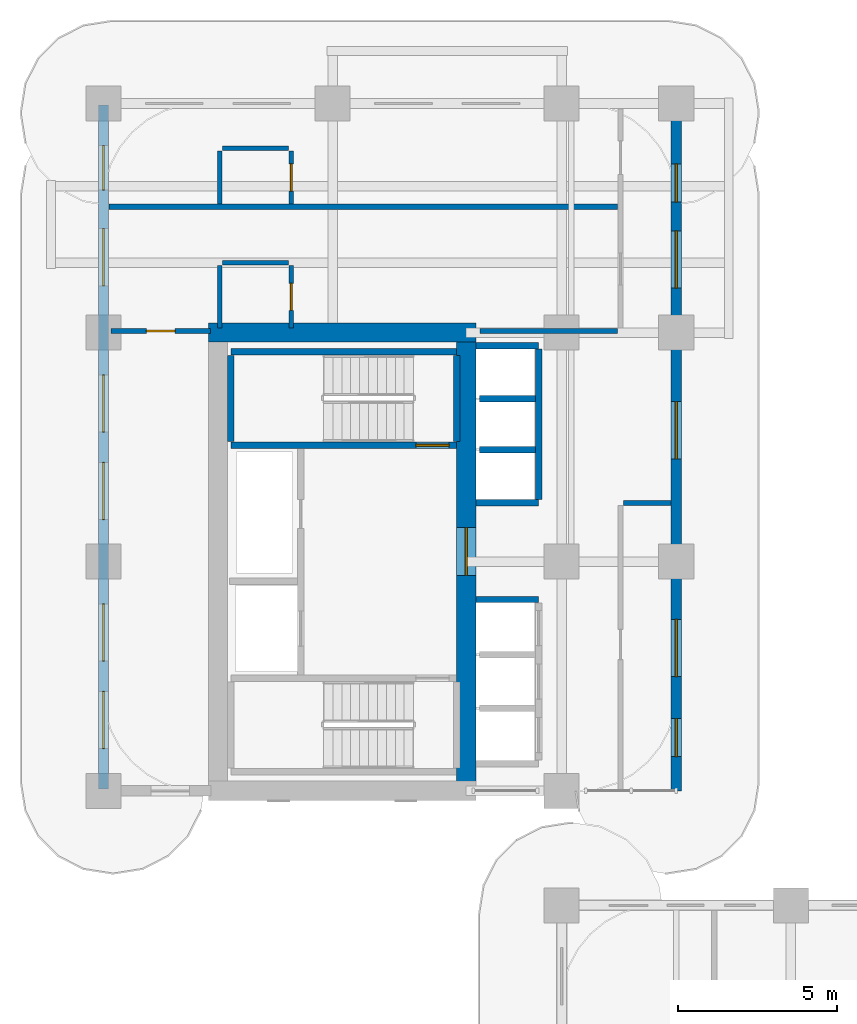
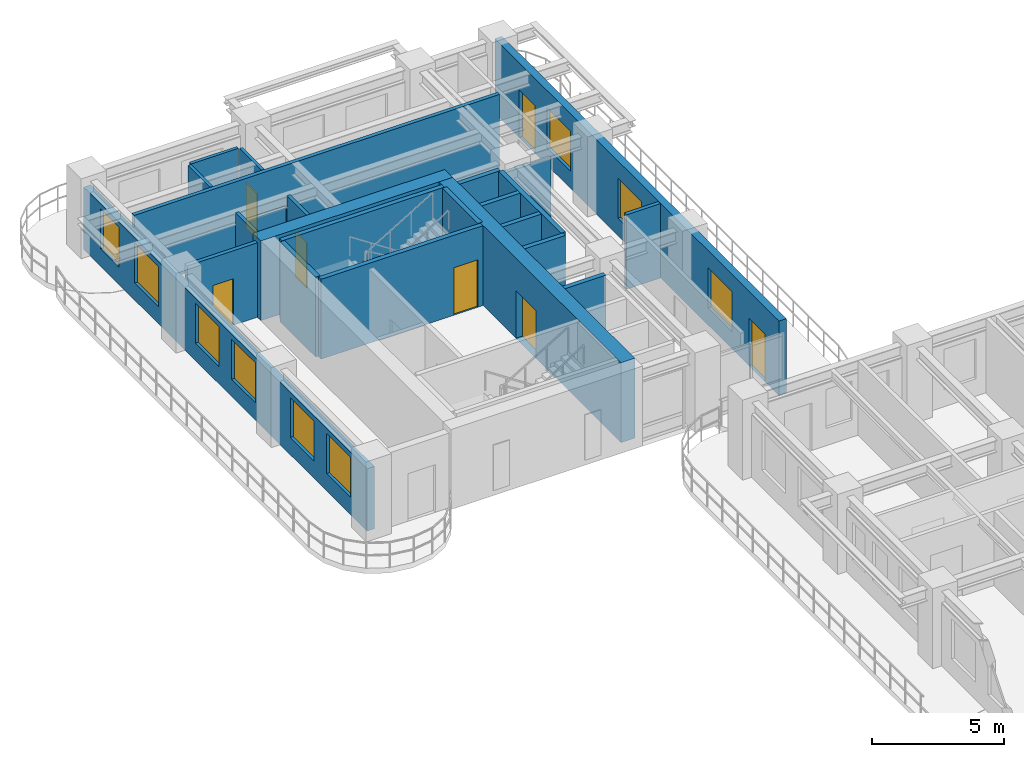
# One storey, part 11 of 19: 24 walls, 9 windows, 7 doors, 16 openings.
"""IFC4 building model written with IfcOpenShell, lengths in metres."""

from ifc_helpers import new_model, si_unit, derived_unit, direction, frame, frame_2d, origin, place, context, subcontext, project, spatial, rectangle, extrude, source, transform, mapped, material, layer, layer_set, type_object, type_shapes, element, fill, save


model = new_model("IFC4")

# Units and contexts
model_context = context("Model", 3, precision=1e-05, world=origin(), true_north=direction((0.0, 1.0)))
body_context = subcontext(model_context, "Body", "Model", "MODEL_VIEW")
ifc_project = project(units=[si_unit("LENGTHUNIT", "METRE"), si_unit("AREAUNIT", "SQUARE_METRE"), si_unit("VOLUMEUNIT", "CUBIC_METRE"), si_unit("PLANEANGLEUNIT", "RADIAN"), si_unit("MASSUNIT", "GRAM", prefix="KILO"), si_unit("THERMODYNAMICTEMPERATUREUNIT", "KELVIN"), si_unit("POWERUNIT", "WATT"), derived_unit("THERMALTRANSMITTANCEUNIT", [(si_unit("POWERUNIT", "WATT"), 1), (si_unit("AREAUNIT", "SQUARE_METRE"), -1), (si_unit("THERMODYNAMICTEMPERATUREUNIT", "KELVIN"), -1)])], contexts=[model_context])

# Site, building, storey
site_placement = place(None, origin())
site = spatial("IfcSite", under=ifc_project, at=site_placement, CompositionType="ELEMENT")
building_placement = place(site_placement, origin())
building = spatial("IfcBuilding", under=site, at=building_placement, Name="Zahravan Archway Hotel and Residences", CompositionType="ELEMENT")
storey_placement = place(building_placement, frame((0.0, 0.0, 54.60009765625)))
storey = spatial("IfcBuildingStorey", under=building, at=storey_placement, Name="L12", CompositionType="ELEMENT", Elevation=54.60009765625)

# Wall
ifc_material_1 = material(Name="Concrete C70/85", Category="concrete")
ifc_layer_1 = layer(ifc_material_1, 0.60009765625, Name="Concrete C70/85", Category="concrete")
ifc_layer_set_1 = layer_set([ifc_layer_1], Name="Concrete C70/85")
wall_type_1 = type_object("IfcWallType", Name="CW-CORE-600", PredefinedType="SHEAR", material=ifc_layer_set_1)
wall_1_placement = place(storey_placement, frame((3.300048828125, 39.60009765625, 0.0), z_axis=(0.0, 0.0, 1.0), x_axis=(1.0, 0.0, 0.0)))
element("IfcWall", 1, at=wall_1_placement, inside=storey, type_object=wall_type_1, Name="L12 Core B Shear N Wall 600 mm", PredefinedType="SHEAR", context=body_context, shape_type="SweptSolid", body=[
    extrude(rectangle(XDim=8.39990234375, YDim=0.60009765625, at=frame_2d((4.199951171875, 0.0))), origin(), (0.0, 0.0, 1.0), 3.699951171875),
])

# Wall, opening, door
wall_2_placement = place(storey_placement, frame((11.39990234375, 25.5, 0.0), z_axis=(0.0, 0.0, 1.0), x_axis=(0.0, 1.0, 0.0)))
wall_2 = element("IfcWall", 2, at=wall_2_placement, inside=storey, type_object=wall_type_1, Name="L12 Core B Shear E Wall 600 mm", PredefinedType="SHEAR", context=body_context, shape_type="SweptSolid", body=[
    extrude(rectangle(XDim=13.800048828125, YDim=0.60009765625, at=frame_2d((6.89990234375, 0.0))), origin(), (0.0, 0.0, 1.0), 3.699951171875),
])
opening_1_placement = place(wall_2_placement, frame((6.469970703125, 0.0, 0.0)))
opening_1 = element("IfcOpeningElement", 3, at=opening_1_placement, cuts=wall_2, Name="Opening FD-L1", PredefinedType="OPENING", context=body_context, shape_type="SweptSolid", body=[
    extrude(rectangle(XDim=1.5, YDim=2.199951171875, at=frame_2d((0.75, 1.10009765625))), frame((0.0, 0.31005859375, 0.0), z_axis=(0.0, -1.0, 0.0), x_axis=(1.0, 0.0, 0.0)), (0.0, 0.0, 1.0), 0.6201171875),
])
ifc_material_2 = material(Name="Fire-Rated Painted Steel", Category="steel")
door_type_1 = type_object("IfcDoorType", Name="FD-LOBBY-1500", OperationType="DOUBLE_DOOR_SINGLE_SWING", PredefinedType="DOOR", material=ifc_material_2)
shared_shape_1 = source(origin(), body_context, "Body", "SweptSolid", [
    extrude(rectangle(XDim=1.5, YDim=2.199951171875, at=frame_2d((0.75, 1.10009765625))), frame((0.0, 0.02490234375, 0.0), z_axis=(0.0, -1.0, 0.0), x_axis=(1.0, 0.0, 0.0)), (0.0, 0.0, 1.0), 0.050048828125),
])
type_shapes(door_type_1, [shared_shape_1])
door_1_placement = place(opening_1_placement, origin())
door_1 = element("IfcDoor", 4, at=door_1_placement, inside=storey, type_object=door_type_1, Name="L12 Core B FSAE Lobby Door", OperationType="DOUBLE_DOOR_SINGLE_SWING", OverallHeight=2.199951171875, OverallWidth=1.5, PredefinedType="DOOR", context=body_context, shape_type="MappedRepresentation", body=[
    mapped(shared_shape_1, transform((0.0, 0.0, 0.0), scale=1.0)),
])
fill(opening_1, door_1)

# Wall, openings, doors, windows
ifc_material_3 = material(Name="Agra Buff Sandstone & Insulated Backup", Category="masonry")
ifc_layer_2 = layer(ifc_material_3, 0.320068359375, Name="Agra Buff Sandstone & Insulated Backup", Category="masonry")
ifc_layer_set_2 = layer_set([ifc_layer_2], Name="Agra Buff Sandstone & Insulated Backup")
wall_type_2 = type_object("IfcWallType", Name="EW-SAND-320", PredefinedType="SOLIDWALL", material=ifc_layer_set_2)
wall_3_placement = place(storey_placement, frame((18.0, 25.199951171875, 0.0), z_axis=(0.0, 0.0, 1.0), x_axis=(0.0, 1.0, 0.0)))
wall_3 = element("IfcWall", 5, at=wall_3_placement, inside=storey, type_object=wall_type_2, Name="L12 Exterior Sandstone Wall WB-E", PredefinedType="SOLIDWALL", context=body_context, shape_type="SweptSolid", body=[
    extrude(rectangle(XDim=21.550048828125, YDim=0.320068359375, at=frame_2d((10.77490234375, 0.0))), origin(), (0.0, 0.0, 1.0), 3.449951171875),
])
opening_2_placement = place(wall_3_placement, frame((18.5, 0.0, 0.0)))
opening_2 = element("IfcOpeningElement", 6, at=opening_2_placement, cuts=wall_3, Name="Opening ED-BL1", PredefinedType="OPENING", context=body_context, shape_type="SweptSolid", body=[
    extrude(rectangle(XDim=1.199951171875, YDim=2.199951171875, at=frame_2d((0.60009765625, 1.10009765625))), frame((0.0, 0.169921875, 0.0), z_axis=(0.0, -1.0, 0.0), x_axis=(1.0, 0.0, 0.0)), (0.0, 0.0, 1.0), 0.340087890625),
])
opening_3_placement = place(wall_3_placement, frame((1.070068359375, 0.0, 0.0)))
opening_3 = element("IfcOpeningElement", 7, at=opening_3_placement, cuts=wall_3, Name="Opening ED-BL1", PredefinedType="OPENING", context=body_context, shape_type="SweptSolid", body=[
    extrude(rectangle(XDim=1.199951171875, YDim=2.199951171875, at=frame_2d((0.60009765625, 1.10009765625))), frame((0.0, 0.169921875, 0.0), z_axis=(0.0, -1.0, 0.0), x_axis=(1.0, 0.0, 0.0)), (0.0, 0.0, 1.0), 0.340087890625),
])
opening_4_placement = place(wall_3_placement, frame((3.5849609375, 0.0, 0.800048828125)))
opening_4 = element("IfcOpeningElement", 8, at=opening_4_placement, cuts=wall_3, Name="Opening W-02", PredefinedType="OPENING", context=body_context, shape_type="SweptSolid", body=[
    extrude(rectangle(XDim=1.800048828125, YDim=1.85009765625, at=frame_2d((0.89990234375, 0.925048828125))), frame((0.0, 0.169921875, 0.0), z_axis=(0.0, -1.0, 0.0), x_axis=(1.0, 0.0, 0.0)), (0.0, 0.0, 1.0), 0.340087890625),
])
opening_5_placement = place(wall_3_placement, frame((10.427978515625, 0.0, 0.800048828125)))
opening_5 = element("IfcOpeningElement", 9, at=opening_5_placement, cuts=wall_3, Name="Opening W-02", PredefinedType="OPENING", context=body_context, shape_type="SweptSolid", body=[
    extrude(rectangle(XDim=1.800048828125, YDim=1.85009765625, at=frame_2d((0.89990234375, 0.925048828125))), frame((0.0, 0.169921875, 0.0), z_axis=(0.0, -1.0, 0.0), x_axis=(1.0, 0.0, 0.0)), (0.0, 0.0, 1.0), 0.340087890625),
])
opening_6_placement = place(wall_3_placement, frame((15.800048828125, 0.0, 0.800048828125)))
opening_6 = element("IfcOpeningElement", 10, at=opening_6_placement, cuts=wall_3, Name="Opening W-02", PredefinedType="OPENING", context=body_context, shape_type="SweptSolid", body=[
    extrude(rectangle(XDim=1.800048828125, YDim=1.85009765625, at=frame_2d((0.89990234375, 0.925048828125))), frame((0.0, 0.169921875, 0.0), z_axis=(0.0, -1.0, 0.0), x_axis=(1.0, 0.0, 0.0)), (0.0, 0.0, 1.0), 0.340087890625),
])
ifc_material_4 = material(Name="Bronze-Anodized Glazed Aluminium", Category="aluminium")
door_type_2 = type_object("IfcDoorType", Name="ED-BALC-1200", OperationType="SLIDING_TO_LEFT", PredefinedType="DOOR", material=ifc_material_4)
shared_shape_2 = source(origin(), body_context, "Body", "SweptSolid", [
    extrude(rectangle(XDim=1.199951171875, YDim=2.199951171875, at=frame_2d((0.60009765625, 1.10009765625))), frame((0.0, 0.02490234375, 0.0), z_axis=(0.0, -1.0, 0.0), x_axis=(1.0, 0.0, 0.0)), (0.0, 0.0, 1.0), 0.050048828125),
])
type_shapes(door_type_2, [shared_shape_2])
door_2_placement = place(opening_2_placement, origin())
door_2 = element("IfcDoor", 11, at=door_2_placement, inside=storey, type_object=door_type_2, Name="L12 Outdoor Access Sliding Door (SLB-BAL-L12-NB)", OperationType="SLIDING_TO_LEFT", OverallHeight=2.199951171875, OverallWidth=1.199951171875, PredefinedType="DOOR", context=body_context, shape_type="MappedRepresentation", body=[
    mapped(shared_shape_2, transform((0.0, 0.0, 0.0), scale=1.0)),
])
fill(opening_2, door_2)
door_3_placement = place(opening_3_placement, origin())
door_3 = element("IfcDoor", 12, at=door_3_placement, inside=storey, type_object=door_type_2, Name="L12 Outdoor Access Sliding Door (SLB-BAL-L12-EB)", OperationType="SLIDING_TO_LEFT", OverallHeight=2.199951171875, OverallWidth=1.199951171875, PredefinedType="DOOR", context=body_context, shape_type="MappedRepresentation", body=[
    mapped(shared_shape_2, transform((0.0, 0.0, 0.0), scale=1.0)),
])
fill(opening_3, door_3)
ifc_material_5 = material(Name="Bronze-Anodized Thermal-Break Aluminium & Low-E Glass", Category="aluminium")
window_type_1 = type_object("IfcWindowType", Name="WIN-TWR-1800", PartitioningType="DOUBLE_PANEL_VERTICAL", PredefinedType="WINDOW", material=ifc_material_5)
shared_shape_3 = source(origin(), body_context, "Body", "SweptSolid", [
    extrude(rectangle(XDim=1.800048828125, YDim=1.85009765625, at=frame_2d((0.89990234375, 0.925048828125))), frame((0.0, 0.030029296875, 0.0), z_axis=(0.0, -1.0, 0.0), x_axis=(1.0, 0.0, 0.0)), (0.0, 0.0, 1.0), 0.06005859375),
])
type_shapes(window_type_1, [shared_shape_3])
window_1_placement = place(opening_4_placement, origin())
window_1 = element("IfcWindow", 13, at=window_1_placement, inside=storey, type_object=window_type_1, Name="L12 Loggia Window 34", OverallHeight=1.85009765625, OverallWidth=1.800048828125, PartitioningType="DOUBLE_PANEL_VERTICAL", PredefinedType="WINDOW", context=body_context, shape_type="MappedRepresentation", body=[
    mapped(shared_shape_3, transform((0.0, 0.0, 0.0), scale=1.0)),
])
fill(opening_4, window_1)
window_2_placement = place(opening_5_placement, origin())
window_2 = element("IfcWindow", 14, at=window_2_placement, inside=storey, type_object=window_type_1, Name="L12 Loggia Window 35", OverallHeight=1.85009765625, OverallWidth=1.800048828125, PartitioningType="DOUBLE_PANEL_VERTICAL", PredefinedType="WINDOW", context=body_context, shape_type="MappedRepresentation", body=[
    mapped(shared_shape_3, transform((0.0, 0.0, 0.0), scale=1.0)),
])
fill(opening_5, window_2)
window_3_placement = place(opening_6_placement, origin())
window_3 = element("IfcWindow", 15, at=window_3_placement, inside=storey, type_object=window_type_1, Name="L12 Loggia Window 36", OverallHeight=1.85009765625, OverallWidth=1.800048828125, PartitioningType="DOUBLE_PANEL_VERTICAL", PredefinedType="WINDOW", context=body_context, shape_type="MappedRepresentation", body=[
    mapped(shared_shape_3, transform((0.0, 0.0, 0.0), scale=1.0)),
])
fill(opening_6, window_3)

# Wall, openings, windows
wall_4_placement = place(storey_placement, frame((0.0, 25.25, 0.0), z_axis=(0.0, 0.0, 1.0), x_axis=(0.0, 1.0, 0.0)))
wall_4 = element("IfcWall", 16, at=wall_4_placement, inside=storey, type_object=wall_type_2, Name="L12 Exterior Sandstone Wall WB-W", PredefinedType="SOLIDWALL", context=body_context, shape_type="SweptSolid", body=[
    extrude(rectangle(XDim=21.5, YDim=0.320068359375, at=frame_2d((10.75, 0.0))), origin(), (0.0, 0.0, 1.0), 2.885009765625),
])
opening_7_placement = place(wall_4_placement, frame((1.27490234375, 0.0, 0.800048828125)))
opening_7 = element("IfcOpeningElement", 17, at=opening_7_placement, cuts=wall_4, Name="Opening W-02", PredefinedType="OPENING", context=body_context, shape_type="SweptSolid", body=[
    extrude(rectangle(XDim=1.800048828125, YDim=1.85009765625, at=frame_2d((0.89990234375, 0.925048828125))), frame((0.0, 0.169921875, 0.0), z_axis=(0.0, -1.0, 0.0), x_axis=(1.0, 0.0, 0.0)), (0.0, 0.0, 1.0), 0.340087890625),
])
opening_8_placement = place(wall_4_placement, frame((4.02490234375, 0.0, 0.800048828125)))
opening_8 = element("IfcOpeningElement", 18, at=opening_8_placement, cuts=wall_4, Name="Opening W-02", PredefinedType="OPENING", context=body_context, shape_type="SweptSolid", body=[
    extrude(rectangle(XDim=1.800048828125, YDim=1.85009765625, at=frame_2d((0.89990234375, 0.925048828125))), frame((0.0, 0.169921875, 0.0), z_axis=(0.0, -1.0, 0.0), x_axis=(1.0, 0.0, 0.0)), (0.0, 0.0, 1.0), 0.340087890625),
])
opening_9_placement = place(wall_4_placement, frame((8.47509765625, 0.0, 0.800048828125)))
opening_9 = element("IfcOpeningElement", 19, at=opening_9_placement, cuts=wall_4, Name="Opening W-02", PredefinedType="OPENING", context=body_context, shape_type="SweptSolid", body=[
    extrude(rectangle(XDim=1.800048828125, YDim=1.85009765625, at=frame_2d((0.89990234375, 0.925048828125))), frame((0.0, 0.169921875, 0.0), z_axis=(0.0, -1.0, 0.0), x_axis=(1.0, 0.0, 0.0)), (0.0, 0.0, 1.0), 0.340087890625),
])
opening_10_placement = place(wall_4_placement, frame((11.22509765625, 0.0, 0.800048828125)))
opening_10 = element("IfcOpeningElement", 20, at=opening_10_placement, cuts=wall_4, Name="Opening W-02", PredefinedType="OPENING", context=body_context, shape_type="SweptSolid", body=[
    extrude(rectangle(XDim=1.800048828125, YDim=1.85009765625, at=frame_2d((0.89990234375, 0.925048828125))), frame((0.0, 0.169921875, 0.0), z_axis=(0.0, -1.0, 0.0), x_axis=(1.0, 0.0, 0.0)), (0.0, 0.0, 1.0), 0.340087890625),
])
opening_11_placement = place(wall_4_placement, frame((15.821044921875, 0.0, 0.800048828125)))
opening_11 = element("IfcOpeningElement", 21, at=opening_11_placement, cuts=wall_4, Name="Opening W-02", PredefinedType="OPENING", context=body_context, shape_type="SweptSolid", body=[
    extrude(rectangle(XDim=1.800048828125, YDim=1.85009765625, at=frame_2d((0.89990234375, 0.925048828125))), frame((0.0, 0.169921875, 0.0), z_axis=(0.0, -1.0, 0.0), x_axis=(1.0, 0.0, 0.0)), (0.0, 0.0, 1.0), 0.340087890625),
])
opening_12_placement = place(wall_4_placement, frame((18.8291015625, 0.0, 0.800048828125)))
opening_12 = element("IfcOpeningElement", 22, at=opening_12_placement, cuts=wall_4, Name="Opening W-03", PredefinedType="OPENING", context=body_context, shape_type="SweptSolid", body=[
    extrude(rectangle(XDim=1.39990234375, YDim=1.85009765625, at=frame_2d((0.699951171875, 0.925048828125))), frame((0.0, 0.169921875, 0.0), z_axis=(0.0, -1.0, 0.0), x_axis=(1.0, 0.0, 0.0)), (0.0, 0.0, 1.0), 0.340087890625),
])
window_type_2 = type_object("IfcWindowType", Name="WIN-TWR-1400", PartitioningType="SINGLE_PANEL", PredefinedType="WINDOW", material=ifc_material_5)
shared_shape_4 = source(origin(), body_context, "Body", "SweptSolid", [
    extrude(rectangle(XDim=1.39990234375, YDim=1.85009765625, at=frame_2d((0.699951171875, 0.925048828125))), frame((0.0, 0.030029296875, 0.0), z_axis=(0.0, -1.0, 0.0), x_axis=(1.0, 0.0, 0.0)), (0.0, 0.0, 1.0), 0.06005859375),
])
type_shapes(window_type_2, [shared_shape_4])
window_4_placement = place(opening_12_placement, origin())
window_4 = element("IfcWindow", 23, at=window_4_placement, inside=storey, type_object=window_type_2, Name="L12 Loggia Window 46", OverallHeight=1.85009765625, OverallWidth=1.39990234375, PartitioningType="SINGLE_PANEL", PredefinedType="WINDOW", context=body_context, shape_type="MappedRepresentation", body=[
    mapped(shared_shape_4, transform((0.0, 0.0, 0.0), scale=1.0)),
])
fill(opening_12, window_4)
window_5_placement = place(opening_7_placement, origin())
window_5 = element("IfcWindow", 24, at=window_5_placement, inside=storey, type_object=window_type_1, Name="L12 Loggia Window 41", OverallHeight=1.85009765625, OverallWidth=1.800048828125, PartitioningType="DOUBLE_PANEL_VERTICAL", PredefinedType="WINDOW", context=body_context, shape_type="MappedRepresentation", body=[
    mapped(shared_shape_3, transform((0.0, 0.0, 0.0), scale=1.0)),
])
fill(opening_7, window_5)
window_6_placement = place(opening_8_placement, origin())
window_6 = element("IfcWindow", 25, at=window_6_placement, inside=storey, type_object=window_type_1, Name="L12 Loggia Window 42", OverallHeight=1.85009765625, OverallWidth=1.800048828125, PartitioningType="DOUBLE_PANEL_VERTICAL", PredefinedType="WINDOW", context=body_context, shape_type="MappedRepresentation", body=[
    mapped(shared_shape_3, transform((0.0, 0.0, 0.0), scale=1.0)),
])
fill(opening_8, window_6)
window_7_placement = place(opening_9_placement, origin())
window_7 = element("IfcWindow", 26, at=window_7_placement, inside=storey, type_object=window_type_1, Name="L12 Loggia Window 43", OverallHeight=1.85009765625, OverallWidth=1.800048828125, PartitioningType="DOUBLE_PANEL_VERTICAL", PredefinedType="WINDOW", context=body_context, shape_type="MappedRepresentation", body=[
    mapped(shared_shape_3, transform((0.0, 0.0, 0.0), scale=1.0)),
])
fill(opening_9, window_7)
window_8_placement = place(opening_10_placement, origin())
window_8 = element("IfcWindow", 27, at=window_8_placement, inside=storey, type_object=window_type_1, Name="L12 Loggia Window 44", OverallHeight=1.85009765625, OverallWidth=1.800048828125, PartitioningType="DOUBLE_PANEL_VERTICAL", PredefinedType="WINDOW", context=body_context, shape_type="MappedRepresentation", body=[
    mapped(shared_shape_3, transform((0.0, 0.0, 0.0), scale=1.0)),
])
fill(opening_10, window_8)
window_9_placement = place(opening_11_placement, origin())
window_9 = element("IfcWindow", 28, at=window_9_placement, inside=storey, type_object=window_type_1, Name="L12 Loggia Window 45", OverallHeight=1.85009765625, OverallWidth=1.800048828125, PartitioningType="DOUBLE_PANEL_VERTICAL", PredefinedType="WINDOW", context=body_context, shape_type="MappedRepresentation", body=[
    mapped(shared_shape_3, transform((0.0, 0.0, 0.0), scale=1.0)),
])
fill(opening_11, window_9)

# Walls
ifc_material_6 = material(Name="Fire-Rated Gypsum & Concrete Block", Category="concrete")
ifc_layer_3 = layer(ifc_material_6, 0.159912109375, Name="Fire-Rated Gypsum & Concrete Block", Category="concrete")
ifc_layer_set_3 = layer_set([ifc_layer_3], Name="Fire-Rated Gypsum & Concrete Block")
wall_type_3 = type_object("IfcWallType", Name="PW-CORR-160", PredefinedType="PARTITIONING", material=ifc_layer_set_3)
wall_5_placement = place(storey_placement, frame((16.340087890625, 34.25, 0.0), z_axis=(0.0, 0.0, 1.0), x_axis=(1.0, 0.0, 0.0)))
element("IfcWall", 29, at=wall_5_placement, inside=storey, type_object=wall_type_3, Name="L12 Partition WB-CS", PredefinedType="PARTITIONING", context=body_context, shape_type="SweptSolid", body=[
    extrude(rectangle(XDim=1.491943359375, YDim=0.159912109375, at=frame_2d((0.74609375, 0.0))), origin(), (0.0, 0.0, 1.0), 3.449951171875),
])
wall_6_placement = place(storey_placement, frame((11.840087890625, 39.64990234375, 0.0), z_axis=(0.0, 0.0, 1.0), x_axis=(1.0, 0.0, 0.0)))
element("IfcWall", 30, at=wall_6_placement, inside=storey, type_object=wall_type_3, Name="L12 Partition WB-NS2", PredefinedType="PARTITIONING", context=body_context, shape_type="SweptSolid", body=[
    extrude(rectangle(XDim=4.31982421875, YDim=0.159912109375, at=frame_2d((2.159912109375, 0.0))), origin(), (0.0, 0.0, 1.0), 2.885009765625),
])
ifc_layer_4 = layer(ifc_material_6, 0.199951171875, Name="Fire-Rated Gypsum & Concrete Block", Category="concrete")
ifc_layer_set_4 = layer_set([ifc_layer_4], Name="Fire-Rated Gypsum & Concrete Block")
wall_type_4 = type_object("IfcWallType", Name="PW-SHAFT-200", PredefinedType="PARTITIONING", material=ifc_layer_set_4)
for number, where, z_axis, x_axis, name in (
    (31, (11.7099609375, 31.2099609375, 0.0), (0.0, 0.0, 1.0), (1.0, 0.0, 0.0), "L12 Partition B1-N"),
    (32, (11.7099609375, 34.25, 0.0), (0.0, 0.0, 1.0), (1.0, 0.0, 0.0), "L12 Partition B2-S"),
    (33, (11.7099609375, 39.18994140625, 0.0), (0.0, 0.0, 1.0), (1.0, 0.0, 0.0), "L12 Partition B2-N"),
):
    element("IfcWall", number, at=place(storey_placement, frame(where, z_axis=z_axis, x_axis=x_axis)), inside=storey, type_object=wall_type_4, Name=name, PredefinedType="PARTITIONING", context=body_context, shape_type="SweptSolid", body=[
        extrude(rectangle(XDim=1.9599609375, YDim=0.199951171875, at=frame_2d((0.97998046875, 0.0))), origin(), (0.0, 0.0, 1.0), 3.449951171875),
    ])
wall_7_placement = place(storey_placement, frame((13.679931640625, 34.360107421875, 0.0), z_axis=(0.0, 0.0, 1.0), x_axis=(0.0, 1.0, 0.0)))
element("IfcWall", 34, at=wall_7_placement, inside=storey, type_object=wall_type_4, Name="L12 Partition B2-E", PredefinedType="PARTITIONING", context=body_context, shape_type="SweptSolid", body=[
    extrude(rectangle(XDim=4.719970703125, YDim=0.199951171875, at=frame_2d((2.35986328125, 0.0))), origin(), (0.0, 0.0, 1.0), 3.449951171875),
])
for number, where, z_axis, x_axis, name in (
    (35, (11.81005859375, 35.919921875, 0.0), (0.0, 0.0, 1.0), (1.0, 0.0, 0.0), "L12 Partition B2-D"),
    (36, (11.81005859375, 37.52001953125, 0.0), (0.0, 0.0, 1.0), (1.0, 0.0, 0.0), "L12 Partition B2-D"),
):
    element("IfcWall", number, at=place(storey_placement, frame(where, z_axis=z_axis, x_axis=x_axis)), inside=storey, type_object=wall_type_4, Name=name, PredefinedType="PARTITIONING", context=body_context, shape_type="SweptSolid", body=[
        extrude(rectangle(XDim=1.760009765625, YDim=0.199951171875, at=frame_2d((0.8798828125, 0.0))), origin(), (0.0, 0.0, 1.0), 3.449951171875),
    ])

# Wall, opening, door
ifc_material_7 = material(Name="Acoustic Stud Partition")
ifc_layer_5 = layer(ifc_material_7, 0.169921875, Name="Acoustic Stud Partition")
ifc_layer_set_5 = layer_set([ifc_layer_5], Name="Acoustic Stud Partition")
wall_type_5 = type_object("IfcWallType", Name="PW-UNIT-170", PredefinedType="PARTITIONING", material=ifc_layer_set_5)
wall_8_placement = place(storey_placement, frame((0.239990234375, 39.64990234375, 0.0), z_axis=(0.0, 0.0, 1.0), x_axis=(1.0, 0.0, 0.0)))
wall_8 = element("IfcWall", 37, at=wall_8_placement, inside=storey, type_object=wall_type_5, Name="L12 Partition WB-NS", PredefinedType="PARTITIONING", context=body_context, shape_type="SweptSolid", body=[
    extrude(rectangle(XDim=3.1201171875, YDim=0.169921875, at=frame_2d((1.56005859375, 0.0))), origin(), (0.0, 0.0, 1.0), 3.449951171875),
])
opening_13_placement = place(wall_8_placement, frame((1.110107421875, 0.0, 0.0)))
opening_13 = element("IfcOpeningElement", 38, at=opening_13_placement, cuts=wall_8, Name="Opening D-I2", PredefinedType="OPENING", context=body_context, shape_type="SweptSolid", body=[
    extrude(rectangle(XDim=0.89990234375, YDim=2.14990234375, at=frame_2d((0.449951171875, 1.074951171875))), frame((0.0, 0.094970703125, 0.0), z_axis=(0.0, -1.0, 0.0), x_axis=(1.0, 0.0, 0.0)), (0.0, 0.0, 1.0), 0.18994140625),
])
ifc_material_8 = material(Name="Hardwood Veneer Timber", Category="wood")
door_type_3 = type_object("IfcDoorType", Name="ID-INT-900", OperationType="NOTDEFINED", PredefinedType="DOOR", material=ifc_material_8)
shared_shape_5 = source(origin(), body_context, "Body", "SweptSolid", [
    extrude(rectangle(XDim=0.89990234375, YDim=2.14990234375, at=frame_2d((0.449951171875, 1.074951171875))), frame((0.0, 0.02490234375, 0.0), z_axis=(0.0, -1.0, 0.0), x_axis=(1.0, 0.0, 0.0)), (0.0, 0.0, 1.0), 0.050048828125),
])
type_shapes(door_type_3, [shared_shape_5])
door_4_placement = place(opening_13_placement, origin())
door_4 = element("IfcDoor", 39, at=door_4_placement, inside=storey, type_object=door_type_3, Name="L12 Wing B West Loggia Salon Door", OperationType="SINGLE_SWING_RIGHT", OverallHeight=2.14990234375, OverallWidth=0.89990234375, PredefinedType="DOOR", context=body_context, shape_type="MappedRepresentation", body=[
    mapped(shared_shape_5, transform((0.0, 0.0, 0.0), scale=1.0)),
])
fill(opening_13, door_4)

# Walls
wall_9_placement = place(storey_placement, frame((0.16796875, 43.550048828125, 0.0), z_axis=(0.0, 0.0, 1.0), x_axis=(1.0, 0.0, 0.0)))
element("IfcWall", 40, at=wall_9_placement, inside=storey, type_object=wall_type_5, Name="L12 Partition WB-NH", PredefinedType="PARTITIONING", context=body_context, shape_type="SweptSolid", body=[
    extrude(rectangle(XDim=15.991943359375, YDim=0.169921875, at=frame_2d((7.99609375, 0.0))), origin(), (0.0, 0.0, 1.0), 3.449951171875),
])
ifc_material_9 = material(Name="Moisture-Resistant Blockwork", Category="masonry")
ifc_layer_6 = layer(ifc_material_9, 0.139892578125, Name="Moisture-Resistant Blockwork", Category="masonry")
ifc_layer_set_6 = layer_set([ifc_layer_6], Name="Moisture-Resistant Blockwork")
wall_type_6 = type_object("IfcWallType", Name="PW-WET-140", PredefinedType="PARTITIONING", material=ifc_layer_set_6)
wall_10_placement = place(storey_placement, frame((3.64990234375, 39.739990234375, 0.0), z_axis=(0.0, 0.0, 1.0), x_axis=(0.0, 1.0, 0.0)))
element("IfcWall", 41, at=wall_10_placement, inside=storey, type_object=wall_type_6, Name="L12 Partition HKB-VL61", PredefinedType="PARTITIONING", context=body_context, shape_type="SweptSolid", body=[
    extrude(rectangle(XDim=1.965087890625, YDim=0.139892578125, at=frame_2d((0.982421875, 0.0))), origin(), (0.0, 0.0, 1.0), 3.449951171875),
])
wall_11_placement = place(storey_placement, frame((3.739990234375, 41.794921875, 0.0), z_axis=(0.0, 0.0, 1.0), x_axis=(1.0, 0.0, 0.0)))
element("IfcWall", 42, at=wall_11_placement, inside=storey, type_object=wall_type_6, Name="L12 Partition HKB-H61", PredefinedType="PARTITIONING", context=body_context, shape_type="SweptSolid", body=[
    extrude(rectangle(XDim=2.070068359375, YDim=0.139892578125, at=frame_2d((1.03515625, 0.0))), origin(), (0.0, 0.0, 1.0), 2.885009765625),
])

# Wall, opening, door
wall_12_placement = place(storey_placement, frame((5.89990234375, 39.739990234375, 0.0), z_axis=(0.0, 0.0, 1.0), x_axis=(0.0, 1.0, 0.0)))
wall_12 = element("IfcWall", 43, at=wall_12_placement, inside=storey, type_object=wall_type_6, Name="L12 Partition HKB-V61", PredefinedType="PARTITIONING", context=body_context, shape_type="SweptSolid", body=[
    extrude(rectangle(XDim=1.965087890625, YDim=0.139892578125, at=frame_2d((0.982421875, 0.0))), origin(), (0.0, 0.0, 1.0), 3.449951171875),
])
opening_14_placement = place(wall_12_placement, frame((0.5576171875, 0.0, 0.0)))
opening_14 = element("IfcOpeningElement", 44, at=opening_14_placement, cuts=wall_12, Name="Opening D-B1", PredefinedType="OPENING", context=body_context, shape_type="SweptSolid", body=[
    extrude(rectangle(XDim=0.85009765625, YDim=2.10009765625, at=frame_2d((0.425048828125, 1.050048828125))), frame((0.0, 0.080078125, 0.0), z_axis=(0.0, -1.0, 0.0), x_axis=(1.0, 0.0, 0.0)), (0.0, 0.0, 1.0), 0.159912109375),
])
door_type_4 = type_object("IfcDoorType", Name="ID-BATH-850", OperationType="NOTDEFINED", PredefinedType="DOOR", material=ifc_material_8)
shared_shape_6 = source(origin(), body_context, "Body", "SweptSolid", [
    extrude(rectangle(XDim=0.85009765625, YDim=2.10009765625, at=frame_2d((0.425048828125, 1.050048828125))), frame((0.0, 0.02490234375, 0.0), z_axis=(0.0, -1.0, 0.0), x_axis=(1.0, 0.0, 0.0)), (0.0, 0.0, 1.0), 0.050048828125),
])
type_shapes(door_type_4, [shared_shape_6])
door_5_placement = place(opening_14_placement, origin())
door_5 = element("IfcDoor", 45, at=door_5_placement, inside=storey, type_object=door_type_4, Name="L12 Guestroom 61 En-Suite Door", OperationType="SINGLE_SWING_RIGHT", OverallHeight=2.10009765625, OverallWidth=0.85009765625, PredefinedType="DOOR", context=body_context, shape_type="MappedRepresentation", body=[
    mapped(shared_shape_6, transform((0.0, 0.0, 0.0), scale=1.0)),
])
fill(opening_14, door_5)

# Walls
wall_13_placement = place(storey_placement, frame((3.64990234375, 43.639892578125, 0.0), z_axis=(0.0, 0.0, 1.0), x_axis=(0.0, 1.0, 0.0)))
element("IfcWall", 46, at=wall_13_placement, inside=storey, type_object=wall_type_6, Name="L12 Partition HKB-VL62", PredefinedType="PARTITIONING", context=body_context, shape_type="SweptSolid", body=[
    extrude(rectangle(XDim=1.670166015625, YDim=0.139892578125, at=frame_2d((0.8349609375, 0.0))), origin(), (0.0, 0.0, 1.0), 3.449951171875),
])
wall_14_placement = place(storey_placement, frame((3.739990234375, 45.39990234375, 0.0), z_axis=(0.0, 0.0, 1.0), x_axis=(1.0, 0.0, 0.0)))
element("IfcWall", 47, at=wall_14_placement, inside=storey, type_object=wall_type_6, Name="L12 Partition HKB-H62", PredefinedType="PARTITIONING", context=body_context, shape_type="SweptSolid", body=[
    extrude(rectangle(XDim=2.070068359375, YDim=0.139892578125, at=frame_2d((1.03515625, 0.0))), origin(), (0.0, 0.0, 1.0), 3.449951171875),
])

# Wall, opening, door
wall_15_placement = place(storey_placement, frame((5.89990234375, 43.639892578125, 0.0), z_axis=(0.0, 0.0, 1.0), x_axis=(0.0, 1.0, 0.0)))
wall_15 = element("IfcWall", 48, at=wall_15_placement, inside=storey, type_object=wall_type_6, Name="L12 Partition HKB-V62", PredefinedType="PARTITIONING", context=body_context, shape_type="SweptSolid", body=[
    extrude(rectangle(XDim=1.670166015625, YDim=0.139892578125, at=frame_2d((0.8349609375, 0.0))), origin(), (0.0, 0.0, 1.0), 3.449951171875),
])
opening_15_placement = place(wall_15_placement, frame((0.409912109375, 0.0, 0.0)))
opening_15 = element("IfcOpeningElement", 49, at=opening_15_placement, cuts=wall_15, Name="Opening D-B1", PredefinedType="OPENING", context=body_context, shape_type="SweptSolid", body=[
    extrude(rectangle(XDim=0.85009765625, YDim=2.10009765625, at=frame_2d((0.425048828125, 1.050048828125))), frame((0.0, 0.080078125, 0.0), z_axis=(0.0, -1.0, 0.0), x_axis=(1.0, 0.0, 0.0)), (0.0, 0.0, 1.0), 0.159912109375),
])
door_6_placement = place(opening_15_placement, origin())
door_6 = element("IfcDoor", 50, at=door_6_placement, inside=storey, type_object=door_type_4, Name="L12 Guestroom 62 En-Suite Door", OperationType="SINGLE_SWING_RIGHT", OverallHeight=2.10009765625, OverallWidth=0.85009765625, PredefinedType="DOOR", context=body_context, shape_type="MappedRepresentation", body=[
    mapped(shared_shape_6, transform((0.0, 0.0, 0.0), scale=1.0)),
])
fill(opening_15, door_6)

# Walls
ifc_material_10 = material(Name="Concrete C50/60", Category="concrete")
ifc_layer_7 = layer(ifc_material_10, 0.199951171875, Name="Concrete C50/60", Category="concrete")
ifc_layer_set_7 = layer_set([ifc_layer_7], Name="Concrete C50/60")
wall_type_7 = type_object("IfcWallType", Name="SW-STAIR-200", PredefinedType="SHEAR", material=ifc_layer_set_7)
wall_16_placement = place(storey_placement, frame((4.0, 39.0, 0.0), z_axis=(0.0, 0.0, 1.0), x_axis=(1.0, 0.0, 0.0)))
element("IfcWall", 51, at=wall_16_placement, inside=storey, type_object=wall_type_7, Name="L12 Stairwell RC Wall CB-SB2N", PredefinedType="SHEAR", context=body_context, shape_type="SweptSolid", body=[
    extrude(rectangle(XDim=7.10009765625, YDim=0.199951171875, at=frame_2d((3.550048828125, 0.0))), origin(), (0.0, 0.0, 1.0), 3.699951171875),
])
for number, where, z_axis, x_axis, name in (
    (52, (4.0, 36.179931640625, 0.0), (0.0, 0.0, 1.0), (0.0, 1.0, 0.0), "L12 Stairwell RC Wall CB-SB2W"),
    (53, (11.10009765625, 36.179931640625, 0.0), (0.0, 0.0, 1.0), (0.0, 1.0, 0.0), "L12 Stairwell RC Wall CB-SB2E"),
):
    element("IfcWall", number, at=place(storey_placement, frame(where, z_axis=z_axis, x_axis=x_axis)), inside=storey, type_object=wall_type_7, Name=name, PredefinedType="SHEAR", context=body_context, shape_type="SweptSolid", body=[
        extrude(rectangle(XDim=2.699951171875, YDim=0.199951171875, at=frame_2d((1.35009765625, 0.0))), origin(), (0.0, 0.0, 1.0), 3.699951171875),
    ])

# Wall, opening, door
wall_17_placement = place(storey_placement, frame((4.0, 36.06005859375, 0.0), z_axis=(0.0, 0.0, 1.0), x_axis=(1.0, 0.0, 0.0)))
wall_17 = element("IfcWall", 54, at=wall_17_placement, inside=storey, type_object=wall_type_7, Name="L12 Stairwell RC Wall CB-SB2S", PredefinedType="SHEAR", context=body_context, shape_type="SweptSolid", body=[
    extrude(rectangle(XDim=7.10009765625, YDim=0.199951171875, at=frame_2d((3.550048828125, 0.0))), origin(), (0.0, 0.0, 1.0), 3.699951171875),
])
opening_16_placement = place(wall_17_placement, frame((5.81494140625, 0.0, 0.0)))
opening_16 = element("IfcOpeningElement", 55, at=opening_16_placement, cuts=wall_17, Name="Opening FD-S1", PredefinedType="OPENING", context=body_context, shape_type="SweptSolid", body=[
    extrude(rectangle(XDim=1.050048828125, YDim=2.199951171875, at=frame_2d((0.52490234375, 1.10009765625))), frame((0.0, 0.10986328125, 0.0), z_axis=(0.0, -1.0, 0.0), x_axis=(1.0, 0.0, 0.0)), (0.0, 0.0, 1.0), 0.219970703125),
])
door_type_5 = type_object("IfcDoorType", Name="FD-STAIR-1100", OperationType="NOTDEFINED", PredefinedType="DOOR", material=ifc_material_2)
shared_shape_7 = source(origin(), body_context, "Body", "SweptSolid", [
    extrude(rectangle(XDim=1.050048828125, YDim=2.199951171875, at=frame_2d((0.52490234375, 1.10009765625))), frame((0.0, 0.02490234375, 0.0), z_axis=(0.0, -1.0, 0.0), x_axis=(1.0, 0.0, 0.0)), (0.0, 0.0, 1.0), 0.050048828125),
])
type_shapes(door_type_5, [shared_shape_7])
door_7_placement = place(opening_16_placement, origin())
door_7 = element("IfcDoor", 56, at=door_7_placement, inside=storey, type_object=door_type_5, Name="L12 Stair ST-B2 Door", OperationType="SINGLE_SWING_LEFT", OverallHeight=2.199951171875, OverallWidth=1.050048828125, PredefinedType="DOOR", context=body_context, shape_type="MappedRepresentation", body=[
    mapped(shared_shape_7, transform((0.0, 0.0, 0.0), scale=1.0)),
])
fill(opening_16, door_7)

save(model, "model.ifc")
